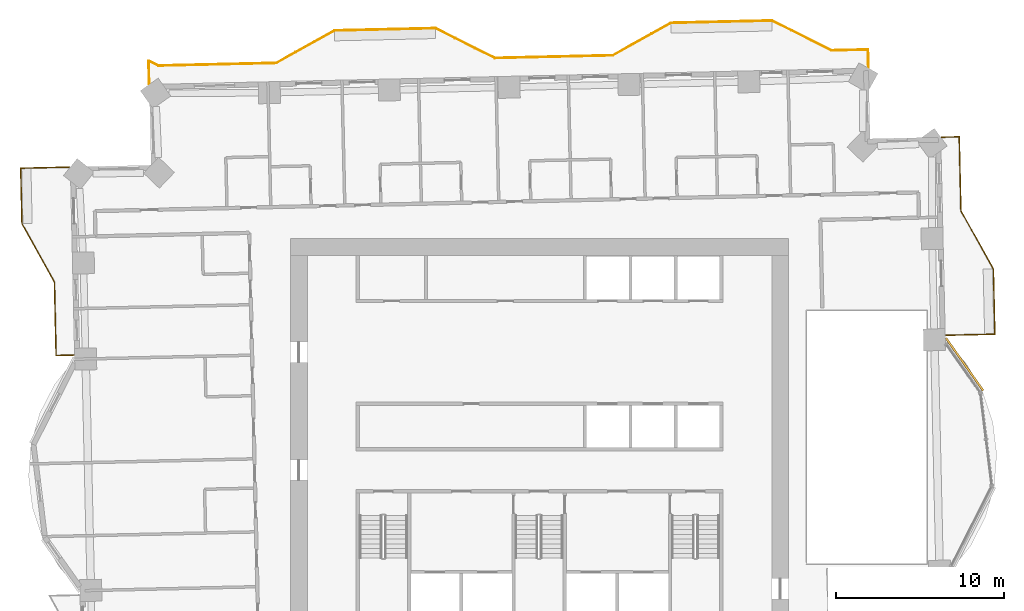
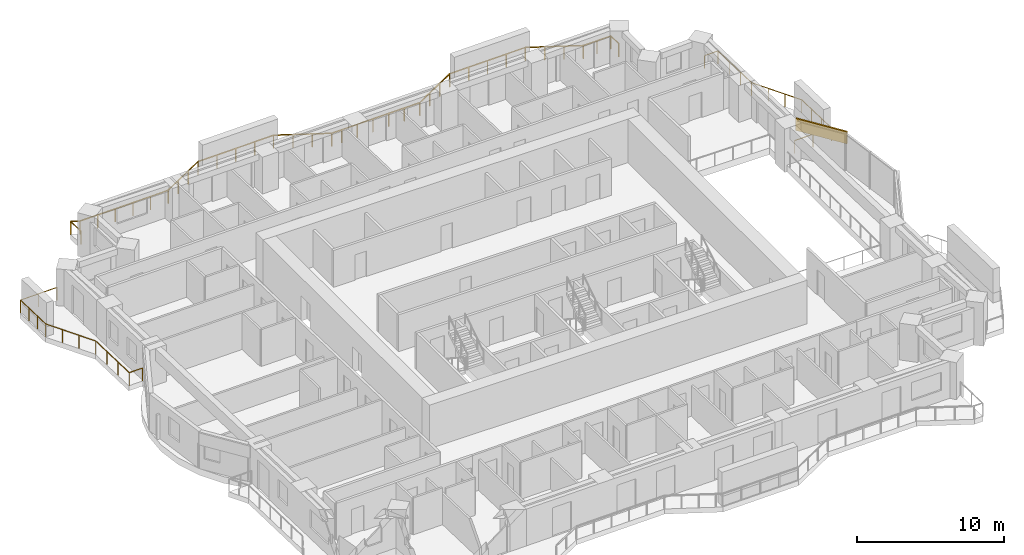
# One storey, part 16 of 16: 3 railings, 1 covering.
"""IFC4 building model written with IfcOpenShell, lengths in metres."""

from ifc_helpers import new_model, si_unit, direction, frame, frame_2d, origin, origin_2d, place, context, subcontext, project, spatial, rectangle, extrude, material, layer, layer_set, type_object, element, save


model = new_model("IFC4")

# Units and contexts
model_context = context("Model", 3, precision=1e-05, world=origin(), true_north=direction((0.0, 1.0)))
body_context = subcontext(model_context, "Body", "Model", "MODEL_VIEW")
ifc_project = project(units=[si_unit("LENGTHUNIT", "METRE"), si_unit("AREAUNIT", "SQUARE_METRE"), si_unit("VOLUMEUNIT", "CUBIC_METRE"), si_unit("PLANEANGLEUNIT", "RADIAN"), si_unit("MASSUNIT", "GRAM", prefix="KILO")], contexts=[model_context])

# Site, building, storey
site_placement = place(None, origin())
site = spatial("IfcSite", under=ifc_project, at=site_placement, CompositionType="ELEMENT")
building_placement = place(site_placement, origin())
building = spatial("IfcBuilding", under=site, at=building_placement, Name="Mangrove Gate Tower", CompositionType="ELEMENT")
storey_placement = place(building_placement, frame((0.0, 0.0, 130.10009765625)))
storey = spatial("IfcBuildingStorey", under=building, at=storey_placement, Name="L32", CompositionType="ELEMENT", Elevation=130.10009765625)

# Railings
ifc_material_1 = material(Name="Stainless steel grade 316 with laminated glass infill", Category="steel")
railing_type = type_object("IfcRailingType", Name="Balcony guard 1100", PredefinedType="GUARDRAIL", material=ifc_material_1)
railing_1_placement = place(storey_placement, frame((24.14404296875, 6.06103515625, 0.0)))
element("IfcRailing", 1, at=railing_1_placement, inside=storey, type_object=railing_type, Name="GUARD L32 E2", PredefinedType="GUARDRAIL", context=body_context, shape_type="SweptSolid", body=[
    extrude(rectangle(XDim=0.048095703125, YDim=0.048095703125, at=origin_2d()), frame((0.0, 0.0, 1.076171875), z_axis=(0.999743349437, 0.022654696127, 0.0), x_axis=(-0.022654696127, 0.999743349437, 0.0)), (0.0, 0.0, 1.0), 2.90966796875),
    extrude(rectangle(XDim=0.048095703125, YDim=0.048095703125, at=origin_2d()), frame((2.908935546875, 0.06591796875, 1.076171875), z_axis=(-0.022681332769, 0.999742745482, 0.0), x_axis=(-0.999742745482, -0.022681332769, 0.0)), (0.0, 0.0, 1.0), 3.875),
    extrude(rectangle(XDim=0.048095703125, YDim=0.048095703125, at=origin_2d()), frame((2.821044921875, 3.93994140625, 1.076171875), z_axis=(-0.487307108654, 0.873230657876, 0.0), x_axis=(-0.873230657876, -0.487307108654, 0.0)), (0.0, 0.0, 1.0), 3.958984375),
    extrude(rectangle(XDim=0.048095703125, YDim=0.048095703125, at=origin_2d()), frame((0.891845703125, 7.39697265625, 1.076171875), z_axis=(-0.022693676786, 0.999742465355, 0.0), x_axis=(-0.999742465355, -0.022693676786, 0.0)), (0.0, 0.0, 1.0), 4.400146484375),
    extrude(rectangle(XDim=0.048095703125, YDim=0.048095703125, at=origin_2d()), frame((0.7919921875, 11.7958984375, 1.076171875), z_axis=(-0.999744919731, -0.022585293253, 0.0), x_axis=(0.022585293253, -0.999744919731, 0.0)), (0.0, 0.0, 1.0), 1.059326171875),
    extrude(rectangle(XDim=0.0419921875, YDim=0.0419921875, at=origin_2d()), origin(), (0.0, 0.0, 1.0), 1.052001953125),
    extrude(rectangle(XDim=0.0419921875, YDim=0.0419921875, at=origin_2d()), frame((1.45458984375, 0.032958984375, 0.0)), (0.0, 0.0, 1.0), 1.052001953125),
    extrude(rectangle(XDim=0.0419921875, YDim=0.0419921875, at=origin_2d()), frame((2.908935546875, 0.06591796875, 0.0)), (0.0, 0.0, 1.0), 1.052001953125),
    extrude(rectangle(XDim=0.0419921875, YDim=0.0419921875, at=origin_2d()), frame((2.879638671875, 1.357177734375, 0.0)), (0.0, 0.0, 1.0), 1.052001953125),
    extrude(rectangle(XDim=0.0419921875, YDim=0.0419921875, at=origin_2d()), frame((2.850341796875, 2.648681640625, 0.0)), (0.0, 0.0, 1.0), 1.052001953125),
    extrude(rectangle(XDim=0.0419921875, YDim=0.0419921875, at=origin_2d()), frame((2.821044921875, 3.93994140625, 0.0)), (0.0, 0.0, 1.0), 1.052001953125),
    extrude(rectangle(XDim=0.0419921875, YDim=0.0419921875, at=origin_2d()), frame((2.177978515625, 5.09228515625, 0.0)), (0.0, 0.0, 1.0), 1.052001953125),
    extrude(rectangle(XDim=0.0419921875, YDim=0.0419921875, at=origin_2d()), frame((1.534912109375, 6.24462890625, 0.0)), (0.0, 0.0, 1.0), 1.052001953125),
    extrude(rectangle(XDim=0.0419921875, YDim=0.0419921875, at=origin_2d()), frame((0.891845703125, 7.39697265625, 0.0)), (0.0, 0.0, 1.0), 1.052001953125),
    extrude(rectangle(XDim=0.0419921875, YDim=0.0419921875, at=origin_2d()), frame((0.858642578125, 8.86328125, 0.0)), (0.0, 0.0, 1.0), 1.052001953125),
    extrude(rectangle(XDim=0.0419921875, YDim=0.0419921875, at=origin_2d()), frame((0.8251953125, 10.32958984375, 0.0)), (0.0, 0.0, 1.0), 1.052001953125),
    extrude(rectangle(XDim=0.0419921875, YDim=0.0419921875, at=origin_2d()), frame((0.7919921875, 11.7958984375, 0.0)), (0.0, 0.0, 1.0), 1.052001953125),
    extrude(rectangle(XDim=0.0419921875, YDim=0.0419921875, at=origin_2d()), frame((-0.26708984375, 11.77197265625, 0.0)), (0.0, 0.0, 1.0), 1.052001953125),
])
railing_2_placement = place(storey_placement, frame((19.541015625, 21.97607421875, 0.0)))
element("IfcRailing", 2, at=railing_2_placement, inside=storey, type_object=railing_type, Name="GUARD L32 N1", PredefinedType="GUARDRAIL", context=body_context, shape_type="SweptSolid", body=[
    extrude(rectangle(XDim=0.048095703125, YDim=0.048095703125, at=origin_2d()), frame((0.0, 0.0, 1.076171875), z_axis=(-0.022590498181, 0.999744802133, 0.0), x_axis=(-0.999744802133, -0.022590498181, 0.0)), (0.0, 0.0, 1.0), 1.05908203125),
    extrude(rectangle(XDim=0.048095703125, YDim=0.048095703125, at=origin_2d()), frame((-0.02392578125, 1.058837890625, 1.076171875), z_axis=(-0.999747204869, -0.0224839133, 0.0), x_axis=(0.0224839133, -0.999747204869, 0.0)), (0.0, 0.0, 1.0), 2.171630859375),
    extrude(rectangle(XDim=0.048095703125, YDim=0.048095703125, at=origin_2d()), frame((-2.195068359375, 1.010009765625, 1.076171875), z_axis=(-0.894476522376, 0.447114919141, 0.0), x_axis=(-0.447114919141, -0.894476522376, 0.0)), (0.0, 0.0, 1.0), 3.958740234375),
    extrude(rectangle(XDim=0.048095703125, YDim=0.048095703125, at=origin_2d()), frame((-5.736083984375, 2.780029296875, 1.076171875), z_axis=(-0.999743094499, -0.022665943652, 0.0), x_axis=(0.022665943652, -0.999743094499, 0.0)), (0.0, 0.0, 1.0), 5.99951171875),
    extrude(rectangle(XDim=0.048095703125, YDim=0.048095703125, at=origin_2d()), frame((-11.734130859375, 2.64404296875, 1.076171875), z_axis=(-0.873274580395, -0.487228393298, 0.0), x_axis=(0.487228393298, -0.873274580395, 0.0)), (0.0, 0.0, 1.0), 3.95947265625),
    extrude(rectangle(XDim=0.048095703125, YDim=0.048095703125, at=origin_2d()), frame((-15.19189453125, 0.71484375, 1.076171875), z_axis=(-0.999745401179, -0.022563971753, 0.0), x_axis=(0.022563971753, -0.999745401179, 0.0)), (0.0, 0.0, 1.0), 6.19970703125),
    extrude(rectangle(XDim=0.048095703125, YDim=0.048095703125, at=origin_2d()), frame((-21.39013671875, 0.574951171875, 1.076171875), z_axis=(-0.999716673744, -0.023802777946, 0.0), x_axis=(0.023802777946, -0.999716673744, 0.0)), (0.0, 0.0, 1.0), 0.800048828125),
    extrude(rectangle(XDim=0.048095703125, YDim=0.048095703125, at=origin_2d()), frame((-22.18994140625, 0.555908203125, 1.076171875), z_axis=(-0.894377854182, 0.447312255532, 0.0), x_axis=(-0.447312255532, -0.894377854182, 0.0)), (0.0, 0.0, 1.0), 3.959228515625),
    extrude(rectangle(XDim=0.048095703125, YDim=0.048095703125, at=origin_2d()), frame((-25.73095703125, 2.326904296875, 1.076171875), z_axis=(-0.999739392852, -0.022828630714, 0.0), x_axis=(0.022828630714, -0.999739392852, 0.0)), (0.0, 0.0, 1.0), 5.99951171875),
    extrude(rectangle(XDim=0.048095703125, YDim=0.048095703125, at=origin_2d()), frame((-31.72900390625, 2.18994140625, 1.076171875), z_axis=(-0.87325689943, -0.48726008209, 0.0), x_axis=(0.48726008209, -0.87325689943, 0.0)), (0.0, 0.0, 1.0), 3.958740234375),
    extrude(rectangle(XDim=0.048095703125, YDim=0.048095703125, at=origin_2d()), frame((-35.18603515625, 0.260986328125, 1.076171875), z_axis=(-0.999745423737, -0.022562972274, 0.0), x_axis=(0.022562972274, -0.999745423737, 0.0)), (0.0, 0.0, 1.0), 7.000732421875),
    extrude(rectangle(XDim=0.048095703125, YDim=0.048095703125, at=origin_2d()), frame((-42.18505859375, 0.10302734375, 1.076171875), z_axis=(-0.894502759364, 0.447062426839, 0.0), x_axis=(-0.447062426839, -0.894502759364, 0.0)), (0.0, 0.0, 1.0), 0.64599609375),
    extrude(rectangle(XDim=0.048095703125, YDim=0.048095703125, at=origin_2d()), frame((-42.762939453125, 0.391845703125, 1.076171875), z_axis=(0.022045555211, -0.999756967215, 0.0), x_axis=(0.999756967215, 0.022045555211, 0.0)), (0.0, 0.0, 1.0), 1.362060546875),
    extrude(rectangle(XDim=0.0419921875, YDim=0.0419921875, at=origin_2d()), origin(), (0.0, 0.0, 1.0), 1.052001953125),
    extrude(rectangle(XDim=0.0419921875, YDim=0.0419921875, at=origin_2d()), frame((-0.02392578125, 1.058837890625, 0.0)), (0.0, 0.0, 1.0), 1.052001953125),
    extrude(rectangle(XDim=0.0419921875, YDim=0.0419921875, at=origin_2d()), frame((-1.109375, 1.034423828125, 0.0)), (0.0, 0.0, 1.0), 1.052001953125),
    extrude(rectangle(XDim=0.0419921875, YDim=0.0419921875, at=origin_2d()), frame((-2.195068359375, 1.010009765625, 0.0)), (0.0, 0.0, 1.0), 1.052001953125),
    extrude(rectangle(XDim=0.0419921875, YDim=0.0419921875, at=origin_2d()), frame((-3.37548828125, 1.60009765625, 0.0)), (0.0, 0.0, 1.0), 1.052001953125),
    extrude(rectangle(XDim=0.0419921875, YDim=0.0419921875, at=origin_2d()), frame((-4.5556640625, 2.18994140625, 0.0)), (0.0, 0.0, 1.0), 1.052001953125),
    extrude(rectangle(XDim=0.0419921875, YDim=0.0419921875, at=origin_2d()), frame((-5.736083984375, 2.780029296875, 0.0)), (0.0, 0.0, 1.0), 1.052001953125),
    extrude(rectangle(XDim=0.0419921875, YDim=0.0419921875, at=origin_2d()), frame((-7.235595703125, 2.74609375, 0.0)), (0.0, 0.0, 1.0), 1.052001953125),
    extrude(rectangle(XDim=0.0419921875, YDim=0.0419921875, at=origin_2d()), frame((-8.735107421875, 2.7119140625, 0.0)), (0.0, 0.0, 1.0), 1.052001953125),
    extrude(rectangle(XDim=0.0419921875, YDim=0.0419921875, at=origin_2d()), frame((-10.234619140625, 2.677978515625, 0.0)), (0.0, 0.0, 1.0), 1.052001953125),
    extrude(rectangle(XDim=0.0419921875, YDim=0.0419921875, at=origin_2d()), frame((-11.734130859375, 2.64404296875, 0.0)), (0.0, 0.0, 1.0), 1.052001953125),
    extrude(rectangle(XDim=0.0419921875, YDim=0.0419921875, at=origin_2d()), frame((-12.88671875, 2.0009765625, 0.0)), (0.0, 0.0, 1.0), 1.052001953125),
    extrude(rectangle(XDim=0.0419921875, YDim=0.0419921875, at=origin_2d()), frame((-14.039306640625, 1.35791015625, 0.0)), (0.0, 0.0, 1.0), 1.052001953125),
    extrude(rectangle(XDim=0.0419921875, YDim=0.0419921875, at=origin_2d()), frame((-15.19189453125, 0.71484375, 0.0)), (0.0, 0.0, 1.0), 1.052001953125),
    extrude(rectangle(XDim=0.0419921875, YDim=0.0419921875, at=origin_2d()), frame((-16.431640625, 0.686767578125, 0.0)), (0.0, 0.0, 1.0), 1.052001953125),
    extrude(rectangle(XDim=0.0419921875, YDim=0.0419921875, at=origin_2d()), frame((-17.671142578125, 0.658935546875, 0.0)), (0.0, 0.0, 1.0), 1.052001953125),
    extrude(rectangle(XDim=0.0419921875, YDim=0.0419921875, at=origin_2d()), frame((-18.910888671875, 0.630859375, 0.0)), (0.0, 0.0, 1.0), 1.052001953125),
    extrude(rectangle(XDim=0.0419921875, YDim=0.0419921875, at=origin_2d()), frame((-20.150390625, 0.60302734375, 0.0)), (0.0, 0.0, 1.0), 1.052001953125),
    extrude(rectangle(XDim=0.0419921875, YDim=0.0419921875, at=origin_2d()), frame((-21.39013671875, 0.574951171875, 0.0)), (0.0, 0.0, 1.0), 1.052001953125),
    extrude(rectangle(XDim=0.0419921875, YDim=0.0419921875, at=origin_2d()), frame((-22.18994140625, 0.555908203125, 0.0)), (0.0, 0.0, 1.0), 1.052001953125),
    extrude(rectangle(XDim=0.0419921875, YDim=0.0419921875, at=origin_2d()), frame((-23.370361328125, 1.146240234375, 0.0)), (0.0, 0.0, 1.0), 1.052001953125),
    extrude(rectangle(XDim=0.0419921875, YDim=0.0419921875, at=origin_2d()), frame((-24.550537109375, 1.736572265625, 0.0)), (0.0, 0.0, 1.0), 1.052001953125),
    extrude(rectangle(XDim=0.0419921875, YDim=0.0419921875, at=origin_2d()), frame((-25.73095703125, 2.326904296875, 0.0)), (0.0, 0.0, 1.0), 1.052001953125),
    extrude(rectangle(XDim=0.0419921875, YDim=0.0419921875, at=origin_2d()), frame((-27.23046875, 2.292724609375, 0.0)), (0.0, 0.0, 1.0), 1.052001953125),
    extrude(rectangle(XDim=0.0419921875, YDim=0.0419921875, at=origin_2d()), frame((-28.72998046875, 2.25830078125, 0.0)), (0.0, 0.0, 1.0), 1.052001953125),
    extrude(rectangle(XDim=0.0419921875, YDim=0.0419921875, at=origin_2d()), frame((-30.2294921875, 2.22412109375, 0.0)), (0.0, 0.0, 1.0), 1.052001953125),
    extrude(rectangle(XDim=0.0419921875, YDim=0.0419921875, at=origin_2d()), frame((-31.72900390625, 2.18994140625, 0.0)), (0.0, 0.0, 1.0), 1.052001953125),
    extrude(rectangle(XDim=0.0419921875, YDim=0.0419921875, at=origin_2d()), frame((-32.88134765625, 1.546875, 0.0)), (0.0, 0.0, 1.0), 1.052001953125),
    extrude(rectangle(XDim=0.0419921875, YDim=0.0419921875, at=origin_2d()), frame((-34.03369140625, 0.904052734375, 0.0)), (0.0, 0.0, 1.0), 1.052001953125),
    extrude(rectangle(XDim=0.0419921875, YDim=0.0419921875, at=origin_2d()), frame((-35.18603515625, 0.260986328125, 0.0)), (0.0, 0.0, 1.0), 1.052001953125),
    extrude(rectangle(XDim=0.0419921875, YDim=0.0419921875, at=origin_2d()), frame((-36.5859375, 0.2294921875, 0.0)), (0.0, 0.0, 1.0), 1.052001953125),
    extrude(rectangle(XDim=0.0419921875, YDim=0.0419921875, at=origin_2d()), frame((-37.985595703125, 0.19775390625, 0.0)), (0.0, 0.0, 1.0), 1.052001953125),
    extrude(rectangle(XDim=0.0419921875, YDim=0.0419921875, at=origin_2d()), frame((-39.385498046875, 0.166259765625, 0.0)), (0.0, 0.0, 1.0), 1.052001953125),
    extrude(rectangle(XDim=0.0419921875, YDim=0.0419921875, at=origin_2d()), frame((-40.78515625, 0.134521484375, 0.0)), (0.0, 0.0, 1.0), 1.052001953125),
    extrude(rectangle(XDim=0.0419921875, YDim=0.0419921875, at=origin_2d()), frame((-42.18505859375, 0.10302734375, 0.0)), (0.0, 0.0, 1.0), 1.052001953125),
    extrude(rectangle(XDim=0.0419921875, YDim=0.0419921875, at=origin_2d()), frame((-42.762939453125, 0.391845703125, 0.0)), (0.0, 0.0, 1.0), 1.052001953125),
    extrude(rectangle(XDim=0.0419921875, YDim=0.0419921875, at=origin_2d()), frame((-42.73291015625, -0.969970703125, 0.0)), (0.0, 0.0, 1.0), 1.052001953125),
])
railing_3_placement = place(storey_placement, frame((-27.9208984375, 16.056884765625, 0.0)))
element("IfcRailing", 3, at=railing_3_placement, inside=storey, type_object=railing_type, Name="GUARD L32 W1", PredefinedType="GUARDRAIL", context=body_context, shape_type="SweptSolid", body=[
    extrude(rectangle(XDim=0.048095703125, YDim=0.048095703125, at=origin_2d()), frame((0.0, 0.0, 1.076171875), z_axis=(-0.999743392495, -0.022652795902, 0.0), x_axis=(0.022652795902, -0.999743392495, 0.0)), (0.0, 0.0, 1.0), 2.909912109375),
    extrude(rectangle(XDim=0.048095703125, YDim=0.048095703125, at=origin_2d()), frame((-2.9091796875, -0.06591796875, 1.076171875), z_axis=(0.02278694782, -0.999740343794, 0.0), x_axis=(0.999740343794, 0.02278694782, 0.0)), (0.0, 0.0, 1.0), 3.300048828125),
    extrude(rectangle(XDim=0.048095703125, YDim=0.048095703125, at=origin_2d()), frame((-2.833984375, -3.364990234375, 1.076171875), z_axis=(0.487286324359, -0.873242256246, 0.0), x_axis=(0.873242256246, 0.487286324359, 0.0)), (0.0, 0.0, 1.0), 3.95849609375),
    extrude(rectangle(XDim=0.048095703125, YDim=0.048095703125, at=origin_2d()), frame((-0.905029296875, -6.82177734375, 1.076171875), z_axis=(0.022604762968, -0.9997444797, 0.0), x_axis=(0.9997444797, 0.022604762968, 0.0)), (0.0, 0.0, 1.0), 4.374267578125),
    extrude(rectangle(XDim=0.048095703125, YDim=0.048095703125, at=origin_2d()), frame((-0.80615234375, -11.19482421875, 1.076171875), z_axis=(0.999745389313, 0.022564497502, 0.0), x_axis=(-0.022564497502, 0.999745389313, 0.0)), (0.0, 0.0, 1.0), 1.060302734375),
    extrude(rectangle(XDim=0.0419921875, YDim=0.0419921875, at=origin_2d()), origin(), (0.0, 0.0, 1.0), 1.052001953125),
    extrude(rectangle(XDim=0.0419921875, YDim=0.0419921875, at=origin_2d()), frame((-1.45458984375, -0.032958984375, 0.0)), (0.0, 0.0, 1.0), 1.052001953125),
    extrude(rectangle(XDim=0.0419921875, YDim=0.0419921875, at=origin_2d()), frame((-2.9091796875, -0.06591796875, 0.0)), (0.0, 0.0, 1.0), 1.052001953125),
    extrude(rectangle(XDim=0.0419921875, YDim=0.0419921875, at=origin_2d()), frame((-2.884033203125, -1.16552734375, 0.0)), (0.0, 0.0, 1.0), 1.052001953125),
    extrude(rectangle(XDim=0.0419921875, YDim=0.0419921875, at=origin_2d()), frame((-2.859130859375, -2.265380859375, 0.0)), (0.0, 0.0, 1.0), 1.052001953125),
    extrude(rectangle(XDim=0.0419921875, YDim=0.0419921875, at=origin_2d()), frame((-2.833984375, -3.364990234375, 0.0)), (0.0, 0.0, 1.0), 1.052001953125),
    extrude(rectangle(XDim=0.0419921875, YDim=0.0419921875, at=origin_2d()), frame((-2.19091796875, -4.517333984375, 0.0)), (0.0, 0.0, 1.0), 1.052001953125),
    extrude(rectangle(XDim=0.0419921875, YDim=0.0419921875, at=origin_2d()), frame((-1.548095703125, -5.66943359375, 0.0)), (0.0, 0.0, 1.0), 1.052001953125),
    extrude(rectangle(XDim=0.0419921875, YDim=0.0419921875, at=origin_2d()), frame((-0.905029296875, -6.82177734375, 0.0)), (0.0, 0.0, 1.0), 1.052001953125),
    extrude(rectangle(XDim=0.0419921875, YDim=0.0419921875, at=origin_2d()), frame((-0.8720703125, -8.279541015625, 0.0)), (0.0, 0.0, 1.0), 1.052001953125),
    extrude(rectangle(XDim=0.0419921875, YDim=0.0419921875, at=origin_2d()), frame((-0.839111328125, -9.737060546875, 0.0)), (0.0, 0.0, 1.0), 1.052001953125),
    extrude(rectangle(XDim=0.0419921875, YDim=0.0419921875, at=origin_2d()), frame((-0.80615234375, -11.19482421875, 0.0)), (0.0, 0.0, 1.0), 1.052001953125),
    extrude(rectangle(XDim=0.0419921875, YDim=0.0419921875, at=origin_2d()), frame((0.25390625, -11.1708984375, 0.0)), (0.0, 0.0, 1.0), 1.052001953125),
])

# Covering
ifc_material_2 = material(Name="Limestone", Category="masonry")
ifc_layer_1 = layer(ifc_material_2, 0.0400390625, Name="Limestone cladding")
ifc_material_3 = material(Name="Stainless steel anchors and cavity", Category="steel")
ifc_layer_2 = layer(ifc_material_3, 0.080078125, Name="Fixing cavity")
ifc_layer_set = layer_set([ifc_layer_1, ifc_layer_2], Name="Joint fascia cladding 120")
covering_type = type_object("IfcCoveringType", Name="Joint fascia cladding 120", PredefinedType="CLADDING", material=ifc_layer_set)
covering_placement = place(storey_placement, frame((26.35888671875, 2.77490234375, 2.0498046875), z_axis=(0.0, 0.0, 1.0), x_axis=(-0.578137942148, 0.815939041748, 0.0)))
element("IfcCovering", 4, at=covering_placement, inside=storey, type_object=covering_type, Name="STONE FASCIA L32 E1.L2", PredefinedType="CLADDING", context=body_context, shape_type="SweptSolid", body=[
    extrude(rectangle(XDim=3.819091796875, YDim=0.1201171875, at=frame_2d((1.90966796875, 0.0))), origin(), (0.0, 0.0, 1.0), 1.0),
])

save(model, "model.ifc")
